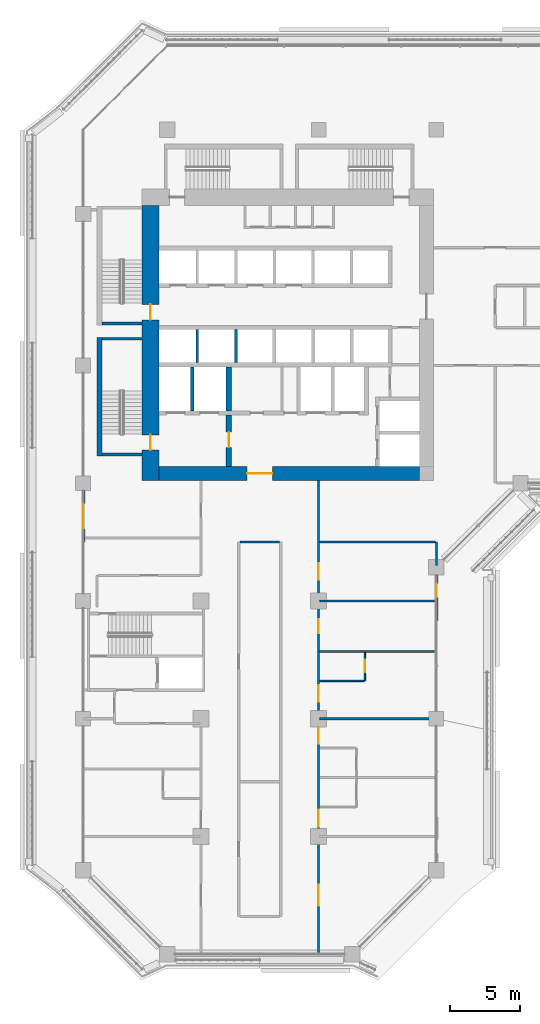
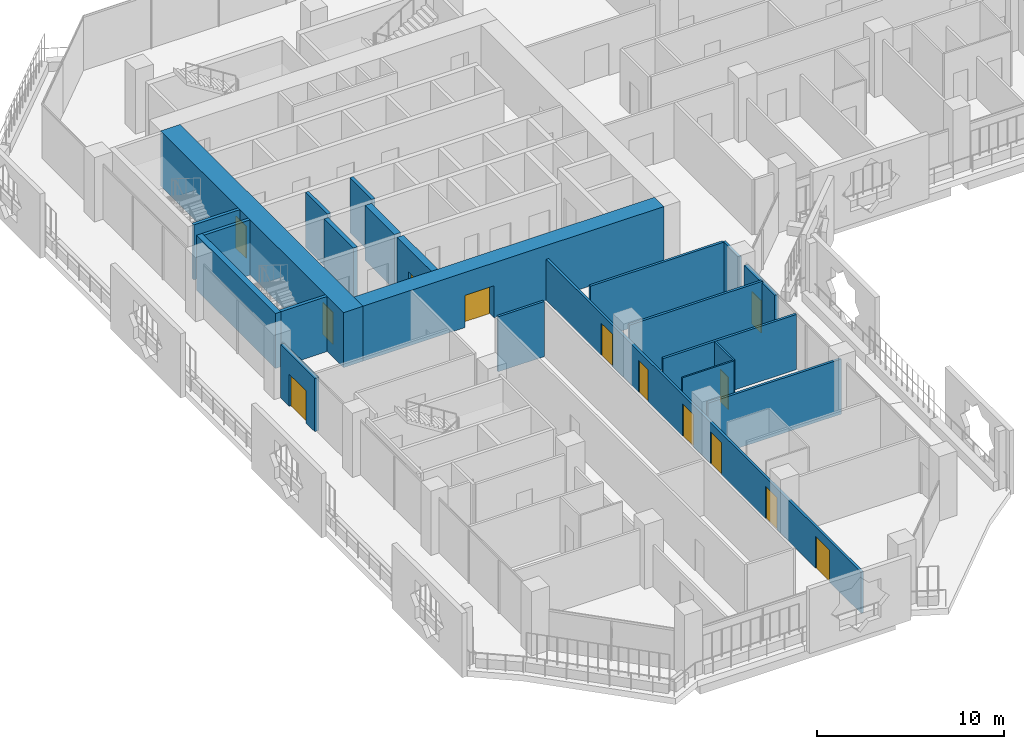
# One storey, part 14 of 27: 22 walls, 13 doors, 13 openings.
"""IFC4 building model written with IfcOpenShell, lengths in metres."""

from ifc_helpers import new_model, si_unit, direction, frame, frame_2d, origin, place, context, subcontext, project, spatial, rectangle, extrude, material, layer, layer_set, type_object, element, fill, save


model = new_model("IFC4")

# Units and contexts
model_context = context("Model", 3, precision=1e-05, world=origin(), true_north=direction((0.0, 1.0)))
body_context = subcontext(model_context, "Body", "Model", "MODEL_VIEW")
ifc_project = project(units=[si_unit("LENGTHUNIT", "METRE"), si_unit("AREAUNIT", "SQUARE_METRE"), si_unit("VOLUMEUNIT", "CUBIC_METRE"), si_unit("PLANEANGLEUNIT", "RADIAN"), si_unit("MASSUNIT", "GRAM", prefix="KILO")], contexts=[model_context])

# Site, building, storey
site_placement = place(None, origin())
site = spatial("IfcSite", under=ifc_project, at=site_placement, CompositionType="ELEMENT")
building_placement = place(site_placement, origin())
building = spatial("IfcBuilding", under=site, at=building_placement, Name="Kawkab Arch Medical Tower", CompositionType="ELEMENT")
storey_placement = place(building_placement, frame((0.0, 0.0, 115.60009765625)))
storey = spatial("IfcBuildingStorey", under=building, at=storey_placement, Name="L26", CompositionType="ELEMENT", Elevation=115.60009765625)

# Wall, opening, door
ifc_material_1 = material(Name="Concrete C60/75", Category="concrete")
ifc_layer_1 = layer(ifc_material_1, 1.0)
ifc_layer_set_1 = layer_set([ifc_layer_1], Name="Concrete C60/75")
wall_type_1 = type_object("IfcWallType", Name="Core ring wall 1000 C60/75", PredefinedType="SHEAR", material=ifc_layer_set_1)
wall_1_placement = place(storey_placement, frame((5.39990234375, -24.5, 0.0), z_axis=(0.0, 0.0, 1.0), x_axis=(1.0, 0.0, 0.0)))
wall_1 = element("IfcWall", 1, at=wall_1_placement, inside=storey, type_object=wall_type_1, Name="L26 core wall", PredefinedType="SHEAR", context=body_context, shape_type="SweptSolid", body=[
    extrude(rectangle(XDim=18.60009765625, YDim=1.0, at=frame_2d((9.300048828125, 0.0))), origin(), (0.0, 0.0, 1.0), 3.599853515625),
])
opening_1_placement = place(wall_1_placement, frame((6.300048828125, 0.0, 0.0)))
opening_1 = element("IfcOpeningElement", 2, at=opening_1_placement, cuts=wall_1, Name="Opening PD", PredefinedType="OPENING", context=body_context, shape_type="SweptSolid", body=[
    extrude(rectangle(XDim=1.800048828125, YDim=2.10009765625, at=frame_2d((0.89990234375, 1.050048828125))), frame((0.0, 0.510009765625, 0.0), z_axis=(0.0, -1.0, 0.0), x_axis=(1.0, 0.0, 0.0)), (0.0, 0.0, 1.0), 1.02001953125),
])
ifc_material_2 = material(Name="Hollow metal fire door leaf")
door_type_1 = type_object("IfcDoorType", Name="Core entrance doors 1800", OperationType="DOUBLE_DOOR_SINGLE_SWING", PredefinedType="DOOR", material=ifc_material_2)
door_1_placement = place(opening_1_placement, origin())
door_1 = element("IfcDoor", 3, at=door_1_placement, inside=storey, type_object=door_type_1, Name="L26 South entrance doors", OperationType="DOUBLE_DOOR_SINGLE_SWING", OverallHeight=2.10009765625, OverallWidth=1.800048828125, PredefinedType="DOOR", context=body_context, shape_type="SweptSolid", body=[
    extrude(rectangle(XDim=1.800048828125, YDim=2.10009765625, at=frame_2d((0.89990234375, 1.050048828125))), frame((0.0, 0.02490234375, 0.0), z_axis=(0.0, -1.0, 0.0), x_axis=(1.0, 0.0, 0.0)), (0.0, 0.0, 1.0), 0.050048828125),
])
fill(opening_1, door_1)

# Wall, openings, doors
ifc_material_3 = material(Name="Concrete C60/75", Category="concrete")
ifc_layer_2 = layer(ifc_material_3, 1.199951171875)
ifc_layer_set_2 = layer_set([ifc_layer_2], Name="Concrete C60/75")
wall_type_2 = type_object("IfcWallType", Name="Core ring wall 1200 C60/75", PredefinedType="SHEAR", material=ifc_layer_set_2)
wall_2_placement = place(storey_placement, frame((4.800048828125, -25.0, 0.0), z_axis=(0.0, 0.0, 1.0), x_axis=(0.0, 1.0, 0.0)))
wall_2 = element("IfcWall", 4, at=wall_2_placement, inside=storey, type_object=wall_type_2, Name="L26 core wall", PredefinedType="SHEAR", context=body_context, shape_type="SweptSolid", body=[
    extrude(rectangle(XDim=19.60009765625, YDim=1.199951171875, at=frame_2d((9.800048828125, 0.0))), origin(), (0.0, 0.0, 1.0), 3.599853515625),
])
opening_2_placement = place(wall_2_placement, frame((11.449951171875, 0.0, 0.0)))
opening_2 = element("IfcOpeningElement", 5, at=opening_2_placement, cuts=wall_2, Name="Opening SD", PredefinedType="OPENING", context=body_context, shape_type="SweptSolid", body=[
    extrude(rectangle(XDim=1.10009765625, YDim=2.10009765625, at=frame_2d((0.550048828125, 1.050048828125))), frame((0.0, 0.60986328125, 0.0), z_axis=(0.0, -1.0, 0.0), x_axis=(1.0, 0.0, 0.0)), (0.0, 0.0, 1.0), 1.219970703125),
])
opening_3_placement = place(wall_2_placement, frame((2.14990234375, 0.0, 0.0)))
opening_3 = element("IfcOpeningElement", 6, at=opening_3_placement, cuts=wall_2, Name="Opening SD", PredefinedType="OPENING", context=body_context, shape_type="SweptSolid", body=[
    extrude(rectangle(XDim=1.10009765625, YDim=2.10009765625, at=frame_2d((0.550048828125, 1.050048828125))), frame((0.0, 0.60986328125, 0.0), z_axis=(0.0, -1.0, 0.0), x_axis=(1.0, 0.0, 0.0)), (0.0, 0.0, 1.0), 1.219970703125),
])
ifc_material_4 = material(Name="Hollow metal fire door leaf")
door_type_2 = type_object("IfcDoorType", Name="Exit stair door 1100", OperationType="SINGLE_SWING_LEFT", PredefinedType="DOOR", material=ifc_material_4)
door_2_placement = place(opening_2_placement, origin())
door_2 = element("IfcDoor", 7, at=door_2_placement, inside=storey, type_object=door_type_2, Name="L26 Exit stair ST1 door", OperationType="SINGLE_SWING_LEFT", OverallHeight=2.10009765625, OverallWidth=1.10009765625, PredefinedType="DOOR", context=body_context, shape_type="SweptSolid", body=[
    extrude(rectangle(XDim=1.10009765625, YDim=2.10009765625, at=frame_2d((0.550048828125, 1.050048828125))), frame((0.0, 0.02490234375, 0.0), z_axis=(0.0, -1.0, 0.0), x_axis=(1.0, 0.0, 0.0)), (0.0, 0.0, 1.0), 0.050048828125),
])
fill(opening_2, door_2)
door_3_placement = place(opening_3_placement, origin())
door_3 = element("IfcDoor", 8, at=door_3_placement, inside=storey, type_object=door_type_2, Name="L26 Exit stair ST2 door", OperationType="SINGLE_SWING_LEFT", OverallHeight=2.10009765625, OverallWidth=1.10009765625, PredefinedType="DOOR", context=body_context, shape_type="SweptSolid", body=[
    extrude(rectangle(XDim=1.10009765625, YDim=2.10009765625, at=frame_2d((0.550048828125, 1.050048828125))), frame((0.0, 0.02490234375, 0.0), z_axis=(0.0, -1.0, 0.0), x_axis=(1.0, 0.0, 0.0)), (0.0, 0.0, 1.0), 0.050048828125),
])
fill(opening_3, door_3)

# Wall
ifc_material_5 = material(Name="Concrete C60/75", Category="concrete")
ifc_layer_3 = layer(ifc_material_5, 0.25)
ifc_layer_set_3 = layer_set([ifc_layer_3], Name="Concrete C60/75")
wall_type_3 = type_object("IfcWallType", Name="Core shear wall 250 C60/75", PredefinedType="SHEAR", material=ifc_layer_set_3)
wall_3_placement = place(storey_placement, frame((7.800048828125, -20.050048828125, 0.0), z_axis=(0.0, 0.0, 1.0), x_axis=(0.0, 1.0, 0.0)))
element("IfcWall", 9, at=wall_3_placement, inside=storey, type_object=wall_type_3, Name="L26 core shear wall", PredefinedType="SHEAR", context=body_context, shape_type="SweptSolid", body=[
    extrude(rectangle(XDim=3.150146484375, YDim=0.25, at=frame_2d((1.5751953125, 0.0))), origin(), (0.0, 0.0, 1.0), 3.599853515625),
])

# Wall, opening, door
ifc_material_6 = material(Name="Concrete C60/75", Category="concrete")
ifc_layer_4 = layer(ifc_material_6, 0.39990234375)
ifc_layer_set_4 = layer_set([ifc_layer_4], Name="Concrete C60/75")
wall_type_4 = type_object("IfcWallType", Name="Core shear wall 400 C60/75", PredefinedType="SHEAR", material=ifc_layer_set_4)
wall_4_placement = place(storey_placement, frame((10.39990234375, -24.0, 0.0), z_axis=(0.0, 0.0, 1.0), x_axis=(0.0, 1.0, 0.0)))
wall_4 = element("IfcWall", 10, at=wall_4_placement, inside=storey, type_object=wall_type_4, Name="L26 core shear wall", PredefinedType="SHEAR", context=body_context, shape_type="SweptSolid", body=[
    extrude(rectangle(XDim=3.64990234375, YDim=0.39990234375, at=frame_2d((1.824951171875, 0.0))), origin(), (0.0, 0.0, 1.0), 3.599853515625),
])
opening_4_placement = place(wall_4_placement, frame((1.35009765625, 0.0, 0.0)))
opening_4 = element("IfcOpeningElement", 11, at=opening_4_placement, cuts=wall_4, Name="Opening FD", PredefinedType="OPENING", context=body_context, shape_type="SweptSolid", body=[
    extrude(rectangle(XDim=1.10009765625, YDim=2.10009765625, at=frame_2d((0.550048828125, 1.050048828125))), frame((0.0, 0.2099609375, 0.0), z_axis=(0.0, -1.0, 0.0), x_axis=(1.0, 0.0, 0.0)), (0.0, 0.0, 1.0), 0.419921875),
])
ifc_material_7 = material(Name="Hollow metal fire door leaf")
door_type_3 = type_object("IfcDoorType", Name="Firefighting lobby door 1100", OperationType="SINGLE_SWING_LEFT", PredefinedType="DOOR", material=ifc_material_7)
door_4_placement = place(opening_4_placement, origin())
door_4 = element("IfcDoor", 12, at=door_4_placement, inside=storey, type_object=door_type_3, Name="L26 Firefighting lobby door", OperationType="SINGLE_SWING_LEFT", OverallHeight=2.10009765625, OverallWidth=1.10009765625, PredefinedType="DOOR", context=body_context, shape_type="SweptSolid", body=[
    extrude(rectangle(XDim=1.10009765625, YDim=2.10009765625, at=frame_2d((0.550048828125, 1.050048828125))), frame((0.0, 0.02490234375, 0.0), z_axis=(0.0, -1.0, 0.0), x_axis=(1.0, 0.0, 0.0)), (0.0, 0.0, 1.0), 0.050048828125),
])
fill(opening_4, door_4)

# Wall
wall_5_placement = place(storey_placement, frame((10.39990234375, -20.050048828125, 0.0), z_axis=(0.0, 0.0, 1.0), x_axis=(0.0, 1.0, 0.0)))
element("IfcWall", 13, at=wall_5_placement, inside=storey, type_object=wall_type_4, Name="L26 core shear wall", PredefinedType="SHEAR", context=body_context, shape_type="SweptSolid", body=[
    extrude(rectangle(XDim=3.150146484375, YDim=0.39990234375, at=frame_2d((1.5751953125, 0.0))), origin(), (0.0, 0.0, 1.0), 3.599853515625),
])

# Wall, opening, door
ifc_material_8 = material(Name="Bronze clad insulated wall panel")
ifc_layer_5 = layer(ifc_material_8, 0.25)
ifc_layer_set_5 = layer_set([ifc_layer_5], Name="Bronze clad insulated wall panel")
wall_type_5 = type_object("IfcWallType", Name="External wall bay 250", PredefinedType="SOLIDWALL", material=ifc_layer_set_5)
wall_6_placement = place(storey_placement, frame((0.0, -25.72509765625, 0.0), z_axis=(0.0, 0.0, 1.0), x_axis=(0.0, -1.0, 0.0)))
wall_6 = element("IfcWall", 14, at=wall_6_placement, inside=storey, type_object=wall_type_5, Name="External wall bay L26.R01.4.1", PredefinedType="SOLIDWALL", context=body_context, shape_type="SweptSolid", body=[
    extrude(rectangle(XDim=3.6748046875, YDim=0.25, at=frame_2d((1.83740234375, 0.0))), origin(), (0.0, 0.0, 1.0), 3.47998046875),
])
opening_5_placement = place(wall_6_placement, frame((0.9375, 0.0, 0.0)))
opening_5 = element("IfcOpeningElement", 15, at=opening_5_placement, cuts=wall_6, Name="Opening W26-701", PredefinedType="OPENING", context=body_context, shape_type="SweptSolid", body=[
    extrude(rectangle(XDim=1.800048828125, YDim=2.10009765625, at=frame_2d((0.89990234375, 1.050048828125))), frame((0.0, 0.135009765625, 0.0), z_axis=(0.0, -1.0, 0.0), x_axis=(1.0, 0.0, 0.0)), (0.0, 0.0, 1.0), 0.27001953125),
])
ifc_material_9 = material(Name="Bronze anodised aluminium door with tinted glass", Category="aluminium")
door_type_4 = type_object("IfcDoorType", Name="Double external door 1800 x 2100", OperationType="DOUBLE_DOOR_SINGLE_SWING", PredefinedType="DOOR", material=ifc_material_9)
door_5_placement = place(opening_5_placement, origin())
door_5 = element("IfcDoor", 16, at=door_5_placement, inside=storey, type_object=door_type_4, Name="External door L26.R01.4.1", OperationType="DOUBLE_DOOR_SINGLE_SWING", OverallHeight=2.10009765625, OverallWidth=1.800048828125, PredefinedType="DOOR", context=body_context, shape_type="SweptSolid", body=[
    extrude(rectangle(XDim=1.800048828125, YDim=2.10009765625, at=frame_2d((0.89990234375, 1.050048828125))), frame((0.0, 0.02490234375, 0.0), z_axis=(0.0, -1.0, 0.0), x_axis=(1.0, 0.0, 0.0)), (0.0, 0.0, 1.0), 0.050048828125),
])
fill(opening_5, door_5)

wall_7_placement = place(storey_placement, frame((25.199951171875, -34.99169921875, 0.0), z_axis=(0.0, 0.0, 1.0), x_axis=(0.0, 1.0, 0.0)))
wall_7 = element("IfcWall", 17, at=wall_7_placement, inside=storey, type_object=wall_type_5, Name="External wall bay L26.R05.2.3", PredefinedType="SOLIDWALL", context=body_context, shape_type="SweptSolid", body=[
    extrude(rectangle(XDim=3.24169921875, YDim=0.25, at=frame_2d((1.620849609375, 0.0))), origin(), (0.0, 0.0, 1.0), 3.47998046875),
])
opening_6_placement = place(wall_7_placement, frame((1.620849609375, 0.0, 0.0)))
opening_6 = element("IfcOpeningElement", 18, at=opening_6_placement, cuts=wall_7, Name="Opening W26-702", PredefinedType="OPENING", context=body_context, shape_type="SweptSolid", body=[
    extrude(rectangle(XDim=1.0, YDim=2.10009765625, at=frame_2d((0.5, 1.050048828125))), frame((0.0, 0.135009765625, 0.0), z_axis=(0.0, -1.0, 0.0), x_axis=(1.0, 0.0, 0.0)), (0.0, 0.0, 1.0), 0.27001953125),
])
ifc_material_10 = material(Name="Bronze anodised aluminium door with tinted glass", Category="aluminium")
door_type_5 = type_object("IfcDoorType", Name="Single external door 1000 x 2100", OperationType="SINGLE_SWING_LEFT", PredefinedType="DOOR", material=ifc_material_10)
door_6_placement = place(opening_6_placement, origin())
door_6 = element("IfcDoor", 19, at=door_6_placement, inside=storey, type_object=door_type_5, Name="External door L26.R05.2.3", OperationType="SINGLE_SWING_LEFT", OverallHeight=2.10009765625, OverallWidth=1.0, PredefinedType="DOOR", context=body_context, shape_type="SweptSolid", body=[
    extrude(rectangle(XDim=1.0, YDim=2.10009765625, at=frame_2d((0.5, 1.050048828125))), frame((0.0, 0.02490234375, 0.0), z_axis=(0.0, -1.0, 0.0), x_axis=(1.0, 0.0, 0.0)), (0.0, 0.0, 1.0), 0.050048828125),
])
fill(opening_6, door_6)

# Walls
ifc_material_11 = material(Name="Dense concrete blockwork", Category="masonry")
ifc_layer_6 = layer(ifc_material_11, 0.199951171875)
ifc_layer_set_6 = layer_set([ifc_layer_6], Name="Dense concrete blockwork")
wall_type_6 = type_object("IfcWallType", Name="Lift shaft partition 200", PredefinedType="PARTITIONING", material=ifc_layer_set_6)
for number, where, z_axis, x_axis, name in (
    (20, (8.14990234375, -16.60009765625, 0.0), (0.0, 0.0, 1.0), (0.0, 1.0, 0.0), "L26 lift shaft partition"),
    (21, (10.89990234375, -16.60009765625, 0.0), (0.0, 0.0, 1.0), (0.0, 1.0, 0.0), "L26 lift shaft partition"),
):
    element("IfcWall", number, at=place(storey_placement, frame(where, z_axis=z_axis, x_axis=x_axis)), inside=storey, type_object=wall_type_6, Name=name, PredefinedType="PARTITIONING", context=body_context, shape_type="SweptSolid", body=[
        extrude(rectangle(XDim=2.35009765625, YDim=0.199951171875, at=frame_2d((1.175048828125, 0.0))), origin(), (0.0, 0.0, 1.0), 3.599853515625),
    ])
ifc_material_12 = material(Name="Gypsum board partition on steel studs", Category="steel")
ifc_layer_7 = layer(ifc_material_12, 0.10009765625)
ifc_layer_set_7 = layer_set([ifc_layer_7], Name="Gypsum board partition on steel studs")
wall_type_7 = type_object("IfcWallType", Name="Partition 100", PredefinedType="PARTITIONING", material=ifc_layer_set_7)
wall_8_placement = place(storey_placement, frame((16.875, -39.300048828125, 0.0), z_axis=(0.0, 0.0, 1.0), x_axis=(1.0, 0.0, 0.0)))
element("IfcWall", 22, at=wall_8_placement, inside=storey, type_object=wall_type_7, Name="Partition 100 w004", PredefinedType="PARTITIONING", context=body_context, shape_type="SweptSolid", body=[
    extrude(rectangle(XDim=3.175048828125, YDim=0.10009765625, at=frame_2d((1.58740234375, 0.0))), origin(), (0.0, 0.0, 1.0), 3.599853515625),
])

# Wall, opening, door
wall_9_placement = place(storey_placement, frame((20.10009765625, -39.300048828125, 0.0), z_axis=(0.0, 0.0, 1.0), x_axis=(0.0, 1.0, 0.0)))
wall_9 = element("IfcWall", 23, at=wall_9_placement, inside=storey, type_object=wall_type_7, Name="Partition 100 w015", PredefinedType="PARTITIONING", context=body_context, shape_type="SweptSolid", body=[
    extrude(rectangle(XDim=2.025146484375, YDim=0.10009765625, at=frame_2d((1.0126953125, 0.0))), origin(), (0.0, 0.0, 1.0), 3.599853515625),
])
opening_7_placement = place(wall_9_placement, frame((0.60009765625, 0.0, 0.0)))
opening_7 = element("IfcOpeningElement", 24, at=opening_7_placement, cuts=wall_9, Name="Opening W26-022", PredefinedType="OPENING", context=body_context, shape_type="SweptSolid", body=[
    extrude(rectangle(XDim=0.89990234375, YDim=2.10009765625, at=frame_2d((0.449951171875, 1.050048828125))), frame((0.0, 0.06005859375, 0.0), z_axis=(0.0, -1.0, 0.0), x_axis=(1.0, 0.0, 0.0)), (0.0, 0.0, 1.0), 0.1201171875),
])
ifc_material_13 = material(Name="Timber door leaf", Category="wood")
door_type_6 = type_object("IfcDoorType", Name="Single door 900x2100", OperationType="NOTDEFINED", PredefinedType="DOOR", material=ifc_material_13)
door_7_placement = place(opening_7_placement, origin())
door_7 = element("IfcDoor", 25, at=door_7_placement, inside=storey, type_object=door_type_6, Name="Door W26-022", OperationType="SINGLE_SWING_LEFT", OverallHeight=2.10009765625, OverallWidth=0.89990234375, PredefinedType="DOOR", context=body_context, shape_type="SweptSolid", body=[
    extrude(rectangle(XDim=0.89990234375, YDim=2.10009765625, at=frame_2d((0.449951171875, 1.050048828125))), frame((0.0, 0.02490234375, 0.0), z_axis=(0.0, -1.0, 0.0), x_axis=(1.0, 0.0, 0.0)), (0.0, 0.0, 1.0), 0.050048828125),
])
fill(opening_7, door_7)

# Walls
ifc_material_14 = material(Name="Gypsum board partition on steel studs, mineral wool", Category="steel")
ifc_layer_8 = layer(ifc_material_14, 0.14990234375)
ifc_layer_set_8 = layer_set([ifc_layer_8], Name="Gypsum board partition on steel studs, mineral wool")
wall_type_8 = type_object("IfcWallType", Name="Partition 150", PredefinedType="PARTITIONING", material=ifc_layer_set_8)
for number, where, z_axis, x_axis, name in (
    (26, (16.875, -42.0, 0.0), (0.0, 0.0, 1.0), (1.0, 0.0, 0.0), "Partition 150 w035"),
    (27, (16.875, -37.199951171875, 0.0), (0.0, 0.0, 1.0), (1.0, 0.0, 0.0), "Partition 150 w037"),
    (28, (16.875, -33.60009765625, 0.0), (0.0, 0.0, 1.0), (1.0, 0.0, 0.0), "Partition 150 w038"),
):
    element("IfcWall", number, at=place(storey_placement, frame(where, z_axis=z_axis, x_axis=x_axis)), inside=storey, type_object=wall_type_8, Name=name, PredefinedType="PARTITIONING", context=body_context, shape_type="SweptSolid", body=[
        extrude(rectangle(XDim=8.2451171875, YDim=0.14990234375, at=frame_2d((4.12255859375, 0.0))), origin(), (0.0, 0.0, 1.0), 3.599853515625),
    ])
wall_10_placement = place(storey_placement, frame((11.175048828125, -29.39990234375, 0.0), z_axis=(0.0, 0.0, 1.0), x_axis=(1.0, 0.0, 0.0)))
element("IfcWall", 29, at=wall_10_placement, inside=storey, type_object=wall_type_8, Name="Partition 150 w040", PredefinedType="PARTITIONING", context=body_context, shape_type="SweptSolid", body=[
    extrude(rectangle(XDim=2.849853515625, YDim=0.14990234375, at=frame_2d((1.4248046875, 0.0))), origin(), (0.0, 0.0, 1.0), 3.599853515625),
])
wall_11_placement = place(storey_placement, frame((16.875, -29.39990234375, 0.0), z_axis=(0.0, 0.0, 1.0), x_axis=(1.0, 0.0, 0.0)))
element("IfcWall", 30, at=wall_11_placement, inside=storey, type_object=wall_type_8, Name="Partition 150 w041", PredefinedType="PARTITIONING", context=body_context, shape_type="SweptSolid", body=[
    extrude(rectangle(XDim=8.25, YDim=0.14990234375, at=frame_2d((4.125, 0.0))), origin(), (0.0, 0.0, 1.0), 3.599853515625),
])

# Wall, openings, doors
wall_12_placement = place(storey_placement, frame((16.800048828125, -58.719970703125, 0.0), z_axis=(0.0, 0.0, 1.0), x_axis=(0.0, 1.0, 0.0)))
wall_12 = element("IfcWall", 31, at=wall_12_placement, inside=storey, type_object=wall_type_8, Name="Partition 150 w062", PredefinedType="PARTITIONING", context=body_context, shape_type="SweptSolid", body=[
    extrude(rectangle(XDim=33.719970703125, YDim=0.14990234375, at=frame_2d((16.85986328125, 0.0))), origin(), (0.0, 0.0, 1.0), 2.699951171875),
])
opening_8_placement = place(wall_12_placement, frame((26.6201171875, 0.0, 0.0)))
opening_8 = element("IfcOpeningElement", 32, at=opening_8_placement, cuts=wall_12, Name="Opening W26-054", PredefinedType="OPENING", context=body_context, shape_type="SweptSolid", body=[
    extrude(rectangle(XDim=1.199951171875, YDim=2.10009765625, at=frame_2d((0.60009765625, 1.050048828125))), frame((0.0, 0.0849609375, 0.0), z_axis=(0.0, -1.0, 0.0), x_axis=(1.0, 0.0, 0.0)), (0.0, 0.0, 1.0), 0.169921875),
])
opening_9_placement = place(wall_12_placement, frame((22.820068359375, 0.0, 0.0)))
opening_9 = element("IfcOpeningElement", 33, at=opening_9_placement, cuts=wall_12, Name="Opening W26-035", PredefinedType="OPENING", context=body_context, shape_type="SweptSolid", body=[
    extrude(rectangle(XDim=1.0, YDim=2.10009765625, at=frame_2d((0.5, 1.050048828125))), frame((0.0, 0.0849609375, 0.0), z_axis=(0.0, -1.0, 0.0), x_axis=(1.0, 0.0, 0.0)), (0.0, 0.0, 1.0), 0.169921875),
])
opening_10_placement = place(wall_12_placement, frame((17.919921875, 0.0, 0.0)))
opening_10 = element("IfcOpeningElement", 34, at=opening_10_placement, cuts=wall_12, Name="Opening W26-055", PredefinedType="OPENING", context=body_context, shape_type="SweptSolid", body=[
    extrude(rectangle(XDim=1.199951171875, YDim=2.10009765625, at=frame_2d((0.60009765625, 1.050048828125))), frame((0.0, 0.0849609375, 0.0), z_axis=(0.0, -1.0, 0.0), x_axis=(1.0, 0.0, 0.0)), (0.0, 0.0, 1.0), 0.169921875),
])
opening_11_placement = place(wall_12_placement, frame((14.919921875, 0.0, 0.0)))
opening_11 = element("IfcOpeningElement", 35, at=opening_11_placement, cuts=wall_12, Name="Opening W26-056", PredefinedType="OPENING", context=body_context, shape_type="SweptSolid", body=[
    extrude(rectangle(XDim=1.199951171875, YDim=2.10009765625, at=frame_2d((0.60009765625, 1.050048828125))), frame((0.0, 0.0849609375, 0.0), z_axis=(0.0, -1.0, 0.0), x_axis=(1.0, 0.0, 0.0)), (0.0, 0.0, 1.0), 0.169921875),
])
opening_12_placement = place(wall_12_placement, frame((9.02001953125, 0.0, 0.0)))
opening_12 = element("IfcOpeningElement", 36, at=opening_12_placement, cuts=wall_12, Name="Opening W26-057", PredefinedType="OPENING", context=body_context, shape_type="SweptSolid", body=[
    extrude(rectangle(XDim=1.199951171875, YDim=2.10009765625, at=frame_2d((0.60009765625, 1.050048828125))), frame((0.0, 0.0849609375, 0.0), z_axis=(0.0, -1.0, 0.0), x_axis=(1.0, 0.0, 0.0)), (0.0, 0.0, 1.0), 0.169921875),
])
opening_13_placement = place(wall_12_placement, frame((3.3701171875, 0.0, 0.0)))
opening_13 = element("IfcOpeningElement", 37, at=opening_13_placement, cuts=wall_12, Name="Opening W26-004", PredefinedType="OPENING", context=body_context, shape_type="SweptSolid", body=[
    extrude(rectangle(XDim=1.5, YDim=2.10009765625, at=frame_2d((0.75, 1.050048828125))), frame((0.0, 0.0849609375, 0.0), z_axis=(0.0, -1.0, 0.0), x_axis=(1.0, 0.0, 0.0)), (0.0, 0.0, 1.0), 0.169921875),
])
ifc_material_15 = material(Name="Hollow metal door leaf")
door_type_7 = type_object("IfcDoorType", Name="Double door 1500x2100 FD30S", OperationType="NOTDEFINED", PredefinedType="DOOR", material=ifc_material_15)
door_8_placement = place(opening_13_placement, origin())
door_8 = element("IfcDoor", 38, at=door_8_placement, inside=storey, type_object=door_type_7, Name="Door W26-004", OperationType="DOUBLE_DOOR_SINGLE_SWING", OverallHeight=2.10009765625, OverallWidth=1.5, PredefinedType="DOOR", context=body_context, shape_type="SweptSolid", body=[
    extrude(rectangle(XDim=1.5, YDim=2.10009765625, at=frame_2d((0.75, 1.050048828125))), frame((0.0, 0.02490234375, 0.0), z_axis=(0.0, -1.0, 0.0), x_axis=(1.0, 0.0, 0.0)), (0.0, 0.0, 1.0), 0.050048828125),
])
fill(opening_13, door_8)
ifc_material_16 = material(Name="Hollow metal door leaf")
door_type_8 = type_object("IfcDoorType", Name="Single door 1000x2100 FD30S", OperationType="NOTDEFINED", PredefinedType="DOOR", material=ifc_material_16)
door_9_placement = place(opening_9_placement, origin())
door_9 = element("IfcDoor", 39, at=door_9_placement, inside=storey, type_object=door_type_8, Name="Door W26-035", OperationType="SINGLE_SWING_LEFT", OverallHeight=2.10009765625, OverallWidth=1.0, PredefinedType="DOOR", context=body_context, shape_type="SweptSolid", body=[
    extrude(rectangle(XDim=1.0, YDim=2.10009765625, at=frame_2d((0.5, 1.050048828125))), frame((0.0, 0.02490234375, 0.0), z_axis=(0.0, -1.0, 0.0), x_axis=(1.0, 0.0, 0.0)), (0.0, 0.0, 1.0), 0.050048828125),
])
fill(opening_9, door_9)
ifc_material_17 = material(Name="Hollow metal door leaf")
door_type_9 = type_object("IfcDoorType", Name="Single door 1200x2100 FD30S", OperationType="NOTDEFINED", PredefinedType="DOOR", material=ifc_material_17)
door_10_placement = place(opening_8_placement, origin())
door_10 = element("IfcDoor", 40, at=door_10_placement, inside=storey, type_object=door_type_9, Name="Door W26-054", OperationType="SINGLE_SWING_LEFT", OverallHeight=2.10009765625, OverallWidth=1.199951171875, PredefinedType="DOOR", context=body_context, shape_type="SweptSolid", body=[
    extrude(rectangle(XDim=1.199951171875, YDim=2.10009765625, at=frame_2d((0.60009765625, 1.050048828125))), frame((0.0, 0.02490234375, 0.0), z_axis=(0.0, -1.0, 0.0), x_axis=(1.0, 0.0, 0.0)), (0.0, 0.0, 1.0), 0.050048828125),
])
fill(opening_8, door_10)
door_11_placement = place(opening_10_placement, origin())
door_11 = element("IfcDoor", 41, at=door_11_placement, inside=storey, type_object=door_type_9, Name="Door W26-055", OperationType="SINGLE_SWING_LEFT", OverallHeight=2.10009765625, OverallWidth=1.199951171875, PredefinedType="DOOR", context=body_context, shape_type="SweptSolid", body=[
    extrude(rectangle(XDim=1.199951171875, YDim=2.10009765625, at=frame_2d((0.60009765625, 1.050048828125))), frame((0.0, 0.02490234375, 0.0), z_axis=(0.0, -1.0, 0.0), x_axis=(1.0, 0.0, 0.0)), (0.0, 0.0, 1.0), 0.050048828125),
])
fill(opening_10, door_11)
door_12_placement = place(opening_11_placement, origin())
door_12 = element("IfcDoor", 42, at=door_12_placement, inside=storey, type_object=door_type_9, Name="Door W26-056", OperationType="SINGLE_SWING_RIGHT", OverallHeight=2.10009765625, OverallWidth=1.199951171875, PredefinedType="DOOR", context=body_context, shape_type="SweptSolid", body=[
    extrude(rectangle(XDim=1.199951171875, YDim=2.10009765625, at=frame_2d((0.60009765625, 1.050048828125))), frame((0.0, 0.02490234375, 0.0), z_axis=(0.0, -1.0, 0.0), x_axis=(1.0, 0.0, 0.0)), (0.0, 0.0, 1.0), 0.050048828125),
])
fill(opening_11, door_12)
door_13_placement = place(opening_12_placement, origin())
door_13 = element("IfcDoor", 43, at=door_13_placement, inside=storey, type_object=door_type_9, Name="Door W26-057", OperationType="SINGLE_SWING_RIGHT", OverallHeight=2.10009765625, OverallWidth=1.199951171875, PredefinedType="DOOR", context=body_context, shape_type="SweptSolid", body=[
    extrude(rectangle(XDim=1.199951171875, YDim=2.10009765625, at=frame_2d((0.60009765625, 1.050048828125))), frame((0.0, 0.02490234375, 0.0), z_axis=(0.0, -1.0, 0.0), x_axis=(1.0, 0.0, 0.0)), (0.0, 0.0, 1.0), 0.050048828125),
])
fill(opening_12, door_13)

# Walls
wall_13_placement = place(storey_placement, frame((25.199951171875, -31.0869140625, 0.0), z_axis=(0.0, 0.0, 1.0), x_axis=(0.0, 1.0, 0.0)))
element("IfcWall", 44, at=wall_13_placement, inside=storey, type_object=wall_type_8, Name="Partition 150 w063", PredefinedType="PARTITIONING", context=body_context, shape_type="SweptSolid", body=[
    extrude(rectangle(XDim=1.68701171875, YDim=0.14990234375, at=frame_2d((0.843505859375, 0.0))), origin(), (0.0, 0.0, 1.0), 3.599853515625),
])
ifc_material_18 = material(Name="Concrete C50/60", Category="concrete")
ifc_layer_9 = layer(ifc_material_18, 0.199951171875)
ifc_layer_set_9 = layer_set([ifc_layer_9], Name="Concrete C50/60")
wall_type_9 = type_object("IfcWallType", Name="Stair enclosure wall 200 C50/60", PredefinedType="SHEAR", material=ifc_layer_set_9)
for number, where, z_axis, x_axis, name in (
    (45, (1.35009765625, -13.800048828125, 0.0), (0.0, 0.0, 1.0), (1.0, 0.0, 0.0), "L26 stair enclosure wall"),
    (46, (1.35009765625, -14.89990234375, 0.0), (0.0, 0.0, 1.0), (1.0, 0.0, 0.0), "L26 stair enclosure wall"),
    (47, (1.35009765625, -23.14990234375, 0.0), (0.0, 0.0, 1.0), (1.0, 0.0, 0.0), "L26 stair enclosure wall"),
):
    element("IfcWall", number, at=place(storey_placement, frame(where, z_axis=z_axis, x_axis=x_axis)), inside=storey, type_object=wall_type_9, Name=name, PredefinedType="SHEAR", context=body_context, shape_type="SweptSolid", body=[
        extrude(rectangle(XDim=2.849853515625, YDim=0.199951171875, at=frame_2d((1.4248046875, 0.0))), origin(), (0.0, 0.0, 1.0), 3.599853515625),
    ])
ifc_material_19 = material(Name="Concrete C50/60", Category="concrete")
ifc_layer_10 = layer(ifc_material_19, 0.35009765625)
ifc_layer_set_10 = layer_set([ifc_layer_10], Name="Concrete C50/60")
wall_type_10 = type_object("IfcWallType", Name="Stair enclosure wall 350 C50/60", PredefinedType="SHEAR", material=ifc_layer_set_10)
wall_14_placement = place(storey_placement, frame((1.175048828125, -23.25, 0.0), z_axis=(0.0, 0.0, 1.0), x_axis=(0.0, 1.0, 0.0)))
element("IfcWall", 48, at=wall_14_placement, inside=storey, type_object=wall_type_10, Name="L26 stair enclosure wall", PredefinedType="SHEAR", context=body_context, shape_type="SweptSolid", body=[
    extrude(rectangle(XDim=8.449951171875, YDim=0.35009765625, at=frame_2d((4.22509765625, 0.0))), origin(), (0.0, 0.0, 1.0), 3.599853515625),
])

save(model, "model.ifc")
